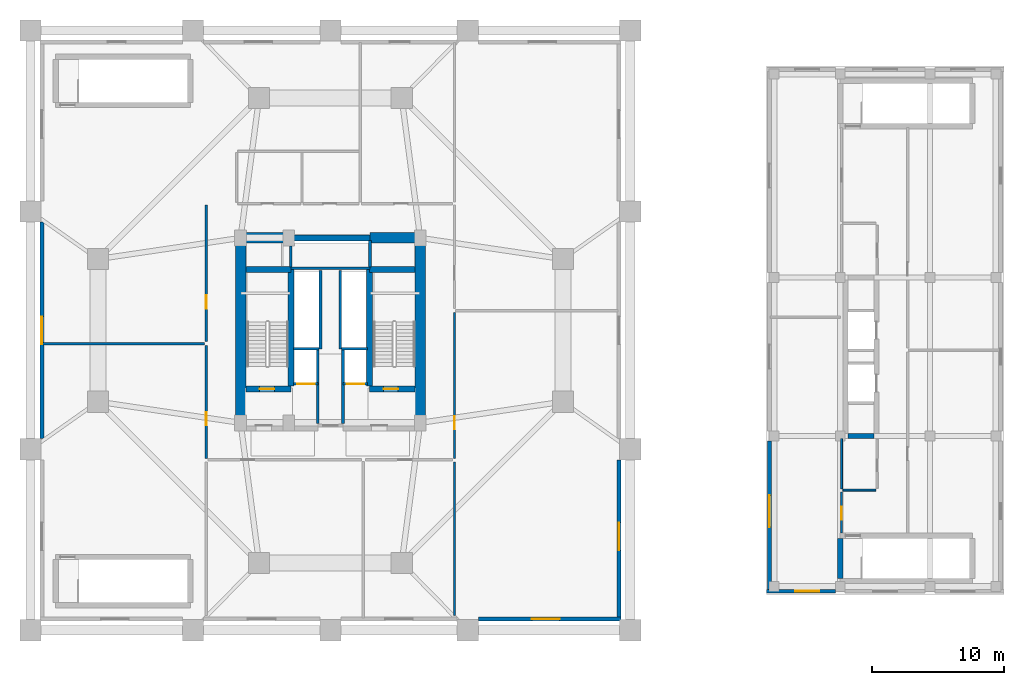
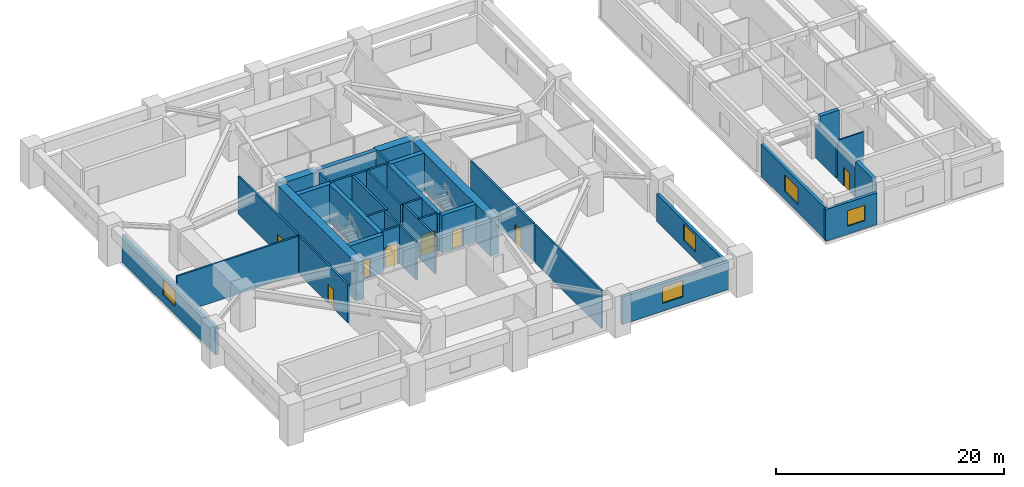
# One storey, part 3 of 8: 37 walls, 8 doors, 5 windows, 13 openings.
"""IFC4 building model written with IfcOpenShell, lengths in metres."""

from ifc_helpers import new_model, si_unit, direction, frame, frame_2d, origin, place, context, subcontext, project, spatial, rectangle, extrude, source, transform, mapped, material, layer, layer_set, type_object, element, fill, save


model = new_model("IFC4")

# Units and contexts
model_context = context("Model", 3, precision=1e-05, world=origin(), true_north=direction((0.0, 1.0)))
body_context = subcontext(model_context, "Body", "Model", "MODEL_VIEW")
ifc_project = project(units=[si_unit("LENGTHUNIT", "METRE"), si_unit("AREAUNIT", "SQUARE_METRE"), si_unit("VOLUMEUNIT", "CUBIC_METRE"), si_unit("PLANEANGLEUNIT", "RADIAN"), si_unit("MASSUNIT", "GRAM", prefix="KILO")], contexts=[model_context])

# Site, building, storey
site_placement = place(None, origin())
site = spatial("IfcSite", under=ifc_project, at=site_placement, CompositionType="ELEMENT")
building_placement = place(site_placement, origin())
building = spatial("IfcBuilding", under=site, at=building_placement, Name="Veraguas Prism Commons", CompositionType="ELEMENT")
storey_placement = place(building_placement, frame((0.0, 0.0, 18.39990234375)))
storey = spatial("IfcBuildingStorey", under=building, at=storey_placement, Name="L04", CompositionType="ELEMENT", Elevation=18.39990234375)

# Walls
ifc_material_1 = material(Name="Concrete C50/60", Category="concrete")
ifc_layer_1 = layer(ifc_material_1, 0.39990234375, Name="Clinic and Mid Core Shear Wall RC 400", Category="concrete")
ifc_layer_set_1 = layer_set([ifc_layer_1], Name="Concrete C50/60")
wall_type_1 = type_object("IfcWallType", Name="Clinic and Mid Core Shear Wall RC 400", PredefinedType="SHEAR", material=ifc_layer_set_1)
wall_1_placement = place(storey_placement, frame((63.199951171875, 16.0, 0.0), z_axis=(0.0, 0.0, 1.0), x_axis=(1.0, 0.0, 0.0)))
element("IfcWall", 1, at=wall_1_placement, inside=storey, type_object=wall_type_1, Name="Health Centre Core South Wall L04", PredefinedType="SHEAR", context=body_context, shape_type="SweptSolid", body=[
    extrude(rectangle(XDim=1.949951171875, YDim=0.39990234375, at=frame_2d((0.97509765625, 0.0))), origin(), (0.0, 0.0, 1.0), 4.14013671875),
])
wall_2_placement = place(storey_placement, frame((62.60009765625, 5.199951171875, 0.0), z_axis=(0.0, 0.0, 1.0), x_axis=(0.0, 1.0, 0.0)))
element("IfcWall", 2, at=wall_2_placement, inside=storey, type_object=wall_type_1, Name="ST-H1 West Shear Wall L04", PredefinedType="SHEAR", context=body_context, shape_type="SweptSolid", body=[
    extrude(rectangle(XDim=3.050048828125, YDim=0.39990234375, at=frame_2d((1.52490234375, 0.0))), origin(), (0.0, 0.0, 1.0), 4.14013671875),
])
ifc_material_2 = material(Name="Concrete C60/75", Category="concrete")
ifc_layer_2 = layer(ifc_material_2, 0.449951171875, Name="Core Internal Shear Wall Lower RC 450", Category="concrete")
ifc_layer_set_2 = layer_set([ifc_layer_2], Name="Concrete C60/75")
wall_type_2 = type_object("IfcWallType", Name="Core Internal Shear Wall Lower RC 450", PredefinedType="SHEAR", material=ifc_layer_set_2)
wall_3_placement = place(storey_placement, frame((21.0, 31.0, 0.0), z_axis=(0.0, 0.0, 1.0), x_axis=(1.0, 0.0, 0.0)))
element("IfcWall", 3, at=wall_3_placement, inside=storey, type_object=wall_type_2, Name="High-Rise Lift Bank Front Shear Wall L04", PredefinedType="SHEAR", context=body_context, shape_type="SweptSolid", body=[
    extrude(rectangle(XDim=6.0, YDim=0.449951171875, at=frame_2d((3.0, 0.0))), origin(), (0.0, 0.0, 1.0), 4.050048828125),
])

# Wall, opening, door
wall_4_placement = place(storey_placement, frame((17.60009765625, 19.574951171875, 0.0), z_axis=(0.0, 0.0, 1.0), x_axis=(1.0, 0.0, 0.0)))
wall_4 = element("IfcWall", 4, at=wall_4_placement, inside=storey, type_object=wall_type_2, Name="Stair ST-01 South Shear Wall L04", PredefinedType="SHEAR", context=body_context, shape_type="SweptSolid", body=[
    extrude(rectangle(XDim=3.4248046875, YDim=0.449951171875, at=frame_2d((1.71240234375, 0.0))), origin(), (0.0, 0.0, 1.0), 4.050048828125),
])
opening_1_placement = place(wall_4_placement, frame((1.050048828125, 0.0, 0.0)))
opening_1 = element("IfcOpeningElement", 5, at=opening_1_placement, cuts=wall_4, Name="Opening DR-05", PredefinedType="OPENING", context=body_context, shape_type="SweptSolid", body=[
    extrude(rectangle(XDim=1.10009765625, YDim=2.030029296875, at=frame_2d((0.550048828125, 1.01513671875))), frame((0.0, 0.23486328125, 0.0), z_axis=(0.0, -1.0, 0.0), x_axis=(1.0, 0.0, 0.0)), (0.0, 0.0, 1.0), 0.469970703125),
])
ifc_material_3 = material(Name="Steel fire-rated door assembly", Category="steel")
door_type_1 = type_object("IfcDoorType", Name="Protected Stair and Refuge Fire Door 1100x2030", OperationType="NOTDEFINED", PredefinedType="DOOR", material=ifc_material_3)
shared_shape_1 = source(origin(), body_context, "Body", "SweptSolid", [
    extrude(rectangle(XDim=1.10009765625, YDim=2.030029296875, at=frame_2d((0.550048828125, 1.01513671875))), frame((0.0, 0.02490234375, 0.0), z_axis=(0.0, -1.0, 0.0), x_axis=(1.0, 0.0, 0.0)), (0.0, 0.0, 1.0), 0.050048828125),
])
door_1_placement = place(opening_1_placement, origin())
door_1 = element("IfcDoor", 6, at=door_1_placement, inside=storey, type_object=door_type_1, Name="Stair ST-01 Enclosure Door L04", OperationType="SINGLE_SWING_LEFT", OverallHeight=2.030029296875, OverallWidth=1.10009765625, PredefinedType="DOOR", context=body_context, shape_type="MappedRepresentation", body=[
    mapped(shared_shape_1, transform((0.0, 0.0, 0.0), scale=1.0)),
])
fill(opening_1, door_1)

wall_5_placement = place(storey_placement, frame((26.97509765625, 19.574951171875, 0.0), z_axis=(0.0, 0.0, 1.0), x_axis=(1.0, 0.0, 0.0)))
wall_5 = element("IfcWall", 7, at=wall_5_placement, inside=storey, type_object=wall_type_2, Name="Stair ST-02 South Shear Wall L04", PredefinedType="SHEAR", context=body_context, shape_type="SweptSolid", body=[
    extrude(rectangle(XDim=3.4248046875, YDim=0.449951171875, at=frame_2d((1.71240234375, 0.0))), origin(), (0.0, 0.0, 1.0), 4.050048828125),
])
opening_2_placement = place(wall_5_placement, frame((1.050048828125, 0.0, 0.0)))
opening_2 = element("IfcOpeningElement", 8, at=opening_2_placement, cuts=wall_5, Name="Opening DR-05", PredefinedType="OPENING", context=body_context, shape_type="SweptSolid", body=[
    extrude(rectangle(XDim=1.10009765625, YDim=2.030029296875, at=frame_2d((0.550048828125, 1.01513671875))), frame((0.0, 0.23486328125, 0.0), z_axis=(0.0, -1.0, 0.0), x_axis=(1.0, 0.0, 0.0)), (0.0, 0.0, 1.0), 0.469970703125),
])
door_2_placement = place(opening_2_placement, origin())
door_2 = element("IfcDoor", 9, at=door_2_placement, inside=storey, type_object=door_type_1, Name="Stair ST-02 Enclosure Door L04", OperationType="SINGLE_SWING_RIGHT", OverallHeight=2.030029296875, OverallWidth=1.10009765625, PredefinedType="DOOR", context=body_context, shape_type="MappedRepresentation", body=[
    mapped(shared_shape_1, transform((0.0, 0.0, 0.0), scale=1.0)),
])
fill(opening_2, door_2)

# Walls
for number, where, z_axis, x_axis, name in (
    (10, (21.02490234375, 19.800048828125, 0.0), (0.0, 0.0, 1.0), (0.0, 1.0, 0.0), "Stair ST-01 Inner Shear Wall L04"),
    (11, (26.97509765625, 19.800048828125, 0.0), (0.0, 0.0, 1.0), (0.0, 1.0, 0.0), "Stair ST-02 Inner Shear Wall L04"),
):
    element("IfcWall", number, at=place(storey_placement, frame(where, z_axis=z_axis, x_axis=x_axis)), inside=storey, type_object=wall_type_2, Name=name, PredefinedType="SHEAR", context=body_context, shape_type="SweptSolid", body=[
        extrude(rectangle(XDim=8.824951171875, YDim=0.449951171875, at=frame_2d((4.41259765625, 0.0))), origin(), (0.0, 0.0, 1.0), 4.050048828125),
    ])
for number, where, z_axis, x_axis, name in (
    (12, (17.60009765625, 28.625, 0.0), (0.0, 0.0, 1.0), (1.0, 0.0, 0.0), "Stair ST-01 North Shear Wall L04"),
    (13, (26.97509765625, 28.625, 0.0), (0.0, 0.0, 1.0), (1.0, 0.0, 0.0), "Stair ST-02 North Shear Wall L04"),
):
    element("IfcWall", number, at=place(storey_placement, frame(where, z_axis=z_axis, x_axis=x_axis)), inside=storey, type_object=wall_type_2, Name=name, PredefinedType="SHEAR", context=body_context, shape_type="SweptSolid", body=[
        extrude(rectangle(XDim=3.4248046875, YDim=0.449951171875, at=frame_2d((1.71240234375, 0.0))), origin(), (0.0, 0.0, 1.0), 4.050048828125),
    ])
ifc_layer_3 = layer(ifc_material_2, 0.800048828125, Name="Core Outer Shear Wall Lower RC 800", Category="concrete")
ifc_layer_set_3 = layer_set([ifc_layer_3], Name="Concrete C60/75")
wall_type_3 = type_object("IfcWallType", Name="Core Outer Shear Wall Lower RC 800", PredefinedType="SHEAR", material=ifc_layer_set_3)
for number, where, z_axis, x_axis, name in (
    (14, (17.199951171875, 16.800048828125, 0.0), (0.0, 0.0, 1.0), (0.0, 1.0, 0.0), "Central Core West Shear Wall L04"),
    (15, (30.800048828125, 16.800048828125, 0.0), (0.0, 0.0, 1.0), (0.0, 1.0, 0.0), "Central Core East Shear Wall L04"),
):
    element("IfcWall", number, at=place(storey_placement, frame(where, z_axis=z_axis, x_axis=x_axis)), inside=storey, type_object=wall_type_3, Name=name, PredefinedType="SHEAR", context=body_context, shape_type="SweptSolid", body=[
        extrude(rectangle(XDim=14.199951171875, YDim=0.800048828125, at=frame_2d((7.10009765625, 0.0))), origin(), (0.0, 0.0, 1.0), 4.050048828125),
    ])
for number, where, z_axis, x_axis, name in (
    (16, (17.199951171875, 31.0, 0.0), (0.0, 0.0, 1.0), (1.0, 0.0, 0.0), "Central Core North-West Shear Wall L04"),
    (17, (27.0, 31.0, 0.0), (0.0, 0.0, 1.0), (1.0, 0.0, 0.0), "Central Core North-East Shear Wall L04"),
):
    element("IfcWall", number, at=place(storey_placement, frame(where, z_axis=z_axis, x_axis=x_axis)), inside=storey, type_object=wall_type_3, Name=name, PredefinedType="SHEAR", context=body_context, shape_type="SweptSolid", body=[
        extrude(rectangle(XDim=3.800048828125, YDim=0.800048828125, at=frame_2d((1.89990234375, 0.0))), origin(), (0.0, 0.0, 1.0), 4.050048828125),
    ])

# Wall, opening, door
ifc_material_4 = material(Name="Autoclaved aerated masonry block 10 MPa", Category="masonry")
ifc_layer_4 = layer(ifc_material_4, 0.179931640625, Name="Corridor and Inter-Tenancy Partition 180", Category="masonry")
ifc_layer_set_4 = layer_set([ifc_layer_4], Name="Autoclaved aerated masonry block 10 MPa")
wall_type_4 = type_object("IfcWallType", Name="Corridor and Inter-Tenancy Partition 180", PredefinedType="PARTITIONING", material=ifc_layer_set_4)
wall_6_placement = place(storey_placement, frame((14.60009765625, 14.300048828125, 0.0), z_axis=(0.0, 0.0, 1.0), x_axis=(0.0, 1.0, 0.0)))
wall_6 = element("IfcWall", 18, at=wall_6_placement, inside=storey, type_object=wall_type_4, Name="WL-L04-PDPT01", PredefinedType="PARTITIONING", context=body_context, shape_type="SweptSolid", body=[
    extrude(rectangle(XDim=8.550048828125, YDim=0.179931640625, at=frame_2d((4.27490234375, 0.0))), origin(), (0.0, 0.0, 1.0), 4.050048828125),
])
opening_3_placement = place(wall_6_placement, frame((2.5, 0.0, 0.0)))
opening_3 = element("IfcOpeningElement", 19, at=opening_3_placement, cuts=wall_6, Name="Opening DR-13", PredefinedType="OPENING", context=body_context, shape_type="SweptSolid", body=[
    extrude(rectangle(XDim=1.0, YDim=2.010009765625, at=frame_2d((0.5, 1.0048828125))), frame((0.0, 0.099853515625, 0.0), z_axis=(0.0, -1.0, 0.0), x_axis=(1.0, 0.0, 0.0)), (0.0, 0.0, 1.0), 0.199951171875),
])
door_type_2 = type_object("IfcDoorType", Name="Core Accessible WC and Clinic Fire Door 1000x2010", OperationType="NOTDEFINED", PredefinedType="DOOR", material=ifc_material_3)
shared_shape_2 = source(origin(), body_context, "Body", "SweptSolid", [
    extrude(rectangle(XDim=1.0, YDim=2.010009765625, at=frame_2d((0.5, 1.0048828125))), frame((0.0, 0.02490234375, 0.0), z_axis=(0.0, -1.0, 0.0), x_axis=(1.0, 0.0, 0.0)), (0.0, 0.0, 1.0), 0.050048828125),
])
door_3_placement = place(opening_3_placement, origin())
door_3 = element("IfcDoor", 20, at=door_3_placement, inside=storey, type_object=door_type_2, Name="Podium Co-op Library Reading Hall Door", OperationType="SINGLE_SWING_LEFT", OverallHeight=2.010009765625, OverallWidth=1.0, PredefinedType="DOOR", context=body_context, shape_type="MappedRepresentation", body=[
    mapped(shared_shape_2, transform((0.0, 0.0, 0.0), scale=1.0)),
])
fill(opening_3, door_3)

wall_7_placement = place(storey_placement, frame((14.60009765625, 23.14990234375, 0.0), z_axis=(0.0, 0.0, 1.0), x_axis=(0.0, 1.0, 0.0)))
wall_7 = element("IfcWall", 21, at=wall_7_placement, inside=storey, type_object=wall_type_4, Name="WL-L04-PDPT02", PredefinedType="PARTITIONING", context=body_context, shape_type="SweptSolid", body=[
    extrude(rectangle(XDim=10.35009765625, YDim=0.179931640625, at=frame_2d((5.175048828125, 0.0))), origin(), (0.0, 0.0, 1.0), 4.050048828125),
])
opening_4_placement = place(wall_7_placement, frame((2.5, 0.0, 0.0)))
opening_4 = element("IfcOpeningElement", 22, at=opening_4_placement, cuts=wall_7, Name="Opening DR-13", PredefinedType="OPENING", context=body_context, shape_type="SweptSolid", body=[
    extrude(rectangle(XDim=1.0, YDim=2.010009765625, at=frame_2d((0.5, 1.0048828125))), frame((0.0, 0.099853515625, 0.0), z_axis=(0.0, -1.0, 0.0), x_axis=(1.0, 0.0, 0.0)), (0.0, 0.0, 1.0), 0.199951171875),
])
door_4_placement = place(opening_4_placement, origin())
door_4 = element("IfcDoor", 23, at=door_4_placement, inside=storey, type_object=door_type_2, Name="Archive and Study Hall Door", OperationType="SINGLE_SWING_RIGHT", OverallHeight=2.010009765625, OverallWidth=1.0, PredefinedType="DOOR", context=body_context, shape_type="MappedRepresentation", body=[
    mapped(shared_shape_2, transform((0.0, 0.0, 0.0), scale=1.0)),
])
fill(opening_4, door_4)

# Walls
wall_8_placement = place(storey_placement, frame((2.219970703125, 23.0, 0.0), z_axis=(0.0, 0.0, 1.0), x_axis=(1.0, 0.0, 0.0)))
element("IfcWall", 24, at=wall_8_placement, inside=storey, type_object=wall_type_4, Name="WL-L04-PDPT03", PredefinedType="PARTITIONING", context=body_context, shape_type="SweptSolid", body=[
    extrude(rectangle(XDim=12.260009765625, YDim=0.179931640625, at=frame_2d((6.1298828125, 0.0))), origin(), (0.0, 0.0, 1.0), 4.050048828125),
])
wall_9_placement = place(storey_placement, frame((33.39990234375, 2.39990234375, 0.0), z_axis=(0.0, 0.0, 1.0), x_axis=(0.0, 1.0, 0.0)))
element("IfcWall", 25, at=wall_9_placement, inside=storey, type_object=wall_type_4, Name="WL-L04-PDPT06E", PredefinedType="PARTITIONING", context=body_context, shape_type="SweptSolid", body=[
    extrude(rectangle(XDim=11.650146484375, YDim=0.179931640625, at=frame_2d((5.8251953125, 0.0))), origin(), (0.0, 0.0, 1.0), 4.050048828125),
])

# Wall, opening, door
wall_10_placement = place(storey_placement, frame((33.39990234375, 14.300048828125, 0.0), z_axis=(0.0, 0.0, 1.0), x_axis=(0.0, 1.0, 0.0)))
wall_10 = element("IfcWall", 26, at=wall_10_placement, inside=storey, type_object=wall_type_4, Name="WL-L04-PDPT07", PredefinedType="PARTITIONING", context=body_context, shape_type="SweptSolid", body=[
    extrude(rectangle(XDim=11.050048828125, YDim=0.179931640625, at=frame_2d((5.52490234375, 0.0))), origin(), (0.0, 0.0, 1.0), 4.050048828125),
])
opening_5_placement = place(wall_10_placement, frame((2.199951171875, 0.0, 0.0)))
opening_5 = element("IfcOpeningElement", 27, at=opening_5_placement, cuts=wall_10, Name="Opening DR-13", PredefinedType="OPENING", context=body_context, shape_type="SweptSolid", body=[
    extrude(rectangle(XDim=1.0, YDim=2.010009765625, at=frame_2d((0.5, 1.0048828125))), frame((0.0, 0.099853515625, 0.0), z_axis=(0.0, -1.0, 0.0), x_axis=(1.0, 0.0, 0.0)), (0.0, 0.0, 1.0), 0.199951171875),
])
door_5_placement = place(opening_5_placement, origin())
door_5 = element("IfcDoor", 28, at=door_5_placement, inside=storey, type_object=door_type_2, Name="Indoor Family Recreation Hall Door", OperationType="SINGLE_SWING_LEFT", OverallHeight=2.010009765625, OverallWidth=1.0, PredefinedType="DOOR", context=body_context, shape_type="MappedRepresentation", body=[
    mapped(shared_shape_2, transform((0.0, 0.0, 0.0), scale=1.0)),
])
fill(opening_5, door_5)

wall_11_placement = place(storey_placement, frame((62.699951171875, 8.64990234375, 0.0), z_axis=(0.0, 0.0, 1.0), x_axis=(0.0, 1.0, 0.0)))
wall_11 = element("IfcWall", 29, at=wall_11_placement, inside=storey, type_object=wall_type_4, Name="WL-L04-HCPT05", PredefinedType="PARTITIONING", context=body_context, shape_type="SweptSolid", body=[
    extrude(rectangle(XDim=3.10009765625, YDim=0.179931640625, at=frame_2d((1.550048828125, 0.0))), origin(), (0.0, 0.0, 1.0), 3.5400390625),
])
opening_6_placement = place(wall_11_placement, frame((1.0, 0.0, 0.0)))
opening_6 = element("IfcOpeningElement", 30, at=opening_6_placement, cuts=wall_11, Name="Opening DR-13", PredefinedType="OPENING", context=body_context, shape_type="SweptSolid", body=[
    extrude(rectangle(XDim=1.0, YDim=2.010009765625, at=frame_2d((0.5, 1.0048828125))), frame((0.0, 0.099853515625, 0.0), z_axis=(0.0, -1.0, 0.0), x_axis=(1.0, 0.0, 0.0)), (0.0, 0.0, 1.0), 0.199951171875),
])
door_6_placement = place(opening_6_placement, origin())
door_6 = element("IfcDoor", 31, at=door_6_placement, inside=storey, type_object=door_type_2, Name="Rehabilitation Physiotherapy Gym Door", OperationType="SINGLE_SWING_RIGHT", OverallHeight=2.010009765625, OverallWidth=1.0, PredefinedType="DOOR", context=body_context, shape_type="MappedRepresentation", body=[
    mapped(shared_shape_2, transform((0.0, 0.0, 0.0), scale=1.0)),
])
fill(opening_6, door_6)

# Wall, opening, window
ifc_material_5 = material(Name="Precast concrete C40/50", Category="concrete")
ifc_layer_5 = layer(ifc_material_5, 0.300048828125, Name="External Precast Facade Wall 300", Category="concrete")
ifc_layer_set_5 = layer_set([ifc_layer_5], Name="Precast concrete C40/50")
wall_type_5 = type_object("IfcWallType", Name="External Precast Facade Wall 300", PredefinedType="SOLIDWALL", material=ifc_layer_set_5)
wall_12_placement = place(storey_placement, frame((35.199951171875, 2.14990234375, 0.0), z_axis=(0.0, 0.0, 1.0), x_axis=(1.0, 0.0, 0.0)))
wall_12 = element("IfcWall", 32, at=wall_12_placement, inside=storey, type_object=wall_type_5, Name="Podium South Facade Wall L04-04", PredefinedType="SOLIDWALL", context=body_context, shape_type="SweptSolid", body=[
    extrude(rectangle(XDim=10.800048828125, YDim=0.300048828125, at=frame_2d((5.39990234375, 0.0))), origin(), (0.0, 0.0, 1.0), 2.9501953125),
])
opening_7_placement = place(wall_12_placement, frame((4.050048828125, 0.0, 0.85009765625)))
opening_7 = element("IfcOpeningElement", 33, at=opening_7_placement, cuts=wall_12, Name="Opening WN-07", PredefinedType="OPENING", context=body_context, shape_type="SweptSolid", body=[
    extrude(rectangle(XDim=2.10009765625, YDim=1.75, at=frame_2d((1.050048828125, 0.875))), frame((0.0, 0.159912109375, 0.0), z_axis=(0.0, -1.0, 0.0), x_axis=(1.0, 0.0, 0.0)), (0.0, 0.0, 1.0), 0.320068359375),
])
ifc_material_6 = material(Name="Laminated low-e glass", Category="glass")
window_type_1 = type_object("IfcWindowType", Name="Podium Community Window 2100x1750", PartitioningType="DOUBLE_PANEL_VERTICAL", PredefinedType="WINDOW", material=ifc_material_6)
shared_shape_3 = source(origin(), body_context, "Body", "SweptSolid", [
    extrude(rectangle(XDim=2.10009765625, YDim=1.75, at=frame_2d((1.050048828125, 0.875))), frame((0.0, 0.030029296875, 0.0), z_axis=(0.0, -1.0, 0.0), x_axis=(1.0, 0.0, 0.0)), (0.0, 0.0, 1.0), 0.06005859375),
])
window_1_placement = place(opening_7_placement, origin())
window_1 = element("IfcWindow", 34, at=window_1_placement, inside=storey, type_object=window_type_1, Name="Podium South Window L04-04", OverallHeight=1.75, OverallWidth=2.10009765625, PartitioningType="DOUBLE_PANEL_VERTICAL", PredefinedType="WINDOW", context=body_context, shape_type="MappedRepresentation", body=[
    mapped(shared_shape_3, transform((0.0, 0.0, 0.0), scale=1.0)),
])
fill(opening_7, window_1)

wall_13_placement = place(storey_placement, frame((45.85009765625, 2.300048828125, 0.0), z_axis=(0.0, 0.0, 1.0), x_axis=(0.0, 1.0, 0.0)))
wall_13 = element("IfcWall", 35, at=wall_13_placement, inside=storey, type_object=wall_type_5, Name="Podium East Plaza Wall L04-01", PredefinedType="SOLIDWALL", context=body_context, shape_type="SweptSolid", body=[
    extrude(rectangle(XDim=11.89990234375, YDim=0.300048828125, at=frame_2d((5.949951171875, 0.0))), origin(), (0.0, 0.0, 1.0), 2.9501953125),
])
opening_8_placement = place(wall_13_placement, frame((5.050048828125, 0.0, 0.85009765625)))
opening_8 = element("IfcOpeningElement", 36, at=opening_8_placement, cuts=wall_13, Name="Opening WN-07", PredefinedType="OPENING", context=body_context, shape_type="SweptSolid", body=[
    extrude(rectangle(XDim=2.10009765625, YDim=1.75, at=frame_2d((1.050048828125, 0.875))), frame((0.0, 0.159912109375, 0.0), z_axis=(0.0, -1.0, 0.0), x_axis=(1.0, 0.0, 0.0)), (0.0, 0.0, 1.0), 0.320068359375),
])
window_2_placement = place(opening_8_placement, origin())
window_2 = element("IfcWindow", 37, at=window_2_placement, inside=storey, type_object=window_type_1, Name="Podium East Window L04-01", OverallHeight=1.75, OverallWidth=2.10009765625, PartitioningType="DOUBLE_PANEL_VERTICAL", PredefinedType="WINDOW", context=body_context, shape_type="MappedRepresentation", body=[
    mapped(shared_shape_3, transform((0.0, 0.0, 0.0), scale=1.0)),
])
fill(opening_8, window_2)

wall_14_placement = place(storey_placement, frame((2.14990234375, 32.199951171875, 0.0), z_axis=(0.0, 0.0, 1.0), x_axis=(0.0, -1.0, 0.0)))
wall_14 = element("IfcWall", 38, at=wall_14_placement, inside=storey, type_object=wall_type_5, Name="Podium West Facade Wall L04-02", PredefinedType="SOLIDWALL", context=body_context, shape_type="SweptSolid", body=[
    extrude(rectangle(XDim=16.39990234375, YDim=0.300048828125, at=frame_2d((8.199951171875, 0.0))), origin(), (0.0, 0.0, 1.0), 2.9501953125),
])
opening_9_placement = place(wall_14_placement, frame((7.14990234375, 0.0, 0.85009765625)))
opening_9 = element("IfcOpeningElement", 39, at=opening_9_placement, cuts=wall_14, Name="Opening WN-07", PredefinedType="OPENING", context=body_context, shape_type="SweptSolid", body=[
    extrude(rectangle(XDim=2.10009765625, YDim=1.75, at=frame_2d((1.050048828125, 0.875))), frame((0.0, 0.159912109375, 0.0), z_axis=(0.0, -1.0, 0.0), x_axis=(1.0, 0.0, 0.0)), (0.0, 0.0, 1.0), 0.320068359375),
])
window_3_placement = place(opening_9_placement, origin())
window_3 = element("IfcWindow", 40, at=window_3_placement, inside=storey, type_object=window_type_1, Name="Podium West Window L04-02", OverallHeight=1.75, OverallWidth=2.10009765625, PartitioningType="DOUBLE_PANEL_VERTICAL", PredefinedType="WINDOW", context=body_context, shape_type="MappedRepresentation", body=[
    mapped(shared_shape_3, transform((0.0, 0.0, 0.0), scale=1.0)),
])
fill(opening_9, window_3)

wall_15_placement = place(storey_placement, frame((57.0, 4.25, 0.0), z_axis=(0.0, 0.0, 1.0), x_axis=(1.0, 0.0, 0.0)))
wall_15 = element("IfcWall", 41, at=wall_15_placement, inside=storey, type_object=wall_type_5, Name="Health Centre South Wall L04-01", PredefinedType="SOLIDWALL", context=body_context, shape_type="SweptSolid", body=[
    extrude(rectangle(XDim=5.22509765625, YDim=0.300048828125, at=frame_2d((2.612548828125, 0.0))), origin(), (0.0, 0.0, 1.0), 3.39013671875),
])
opening_10_placement = place(wall_15_placement, frame((2.199951171875, 0.0, 0.85009765625)))
opening_10 = element("IfcOpeningElement", 42, at=opening_10_placement, cuts=wall_15, Name="Opening WN-01", PredefinedType="OPENING", context=body_context, shape_type="SweptSolid", body=[
    extrude(rectangle(XDim=1.800048828125, YDim=1.64990234375, at=frame_2d((0.89990234375, 0.824951171875))), frame((0.0, 0.159912109375, 0.0), z_axis=(0.0, -1.0, 0.0), x_axis=(1.0, 0.0, 0.0)), (0.0, 0.0, 1.0), 0.320068359375),
])
window_type_2 = type_object("IfcWindowType", Name="Clinic Consulting Double Window 1800x1650", PartitioningType="DOUBLE_PANEL_VERTICAL", PredefinedType="WINDOW", material=ifc_material_6)
shared_shape_4 = source(origin(), body_context, "Body", "SweptSolid", [
    extrude(rectangle(XDim=1.800048828125, YDim=1.64990234375, at=frame_2d((0.89990234375, 0.824951171875))), frame((0.0, 0.030029296875, 0.0), z_axis=(0.0, -1.0, 0.0), x_axis=(1.0, 0.0, 0.0)), (0.0, 0.0, 1.0), 0.06005859375),
])
window_4_placement = place(opening_10_placement, origin())
window_4 = element("IfcWindow", 43, at=window_4_placement, inside=storey, type_object=window_type_2, Name="Health Centre South Window L04-01", OverallHeight=1.64990234375, OverallWidth=1.800048828125, PartitioningType="DOUBLE_PANEL_VERTICAL", PredefinedType="WINDOW", context=body_context, shape_type="MappedRepresentation", body=[
    mapped(shared_shape_4, transform((0.0, 0.0, 0.0), scale=1.0)),
])
fill(opening_10, window_4)

wall_16_placement = place(storey_placement, frame((57.25, 15.625, 0.0), z_axis=(0.0, 0.0, 1.0), x_axis=(0.0, -1.0, 0.0)))
wall_16 = element("IfcWall", 44, at=wall_16_placement, inside=storey, type_object=wall_type_5, Name="Health Centre West Plaza Wall L04-03", PredefinedType="SOLIDWALL", context=body_context, shape_type="SweptSolid", body=[
    extrude(rectangle(XDim=11.22509765625, YDim=0.300048828125, at=frame_2d((5.612548828125, 0.0))), origin(), (0.0, 0.0, 1.0), 3.39013671875),
])
opening_11_placement = place(wall_16_placement, frame((4.125, 0.0, 0.85009765625)))
opening_11 = element("IfcOpeningElement", 45, at=opening_11_placement, cuts=wall_16, Name="Opening WN-02", PredefinedType="OPENING", context=body_context, shape_type="SweptSolid", body=[
    extrude(rectangle(XDim=2.39990234375, YDim=1.800048828125, at=frame_2d((1.199951171875, 0.89990234375))), frame((0.0, 0.159912109375, 0.0), z_axis=(0.0, -1.0, 0.0), x_axis=(1.0, 0.0, 0.0)), (0.0, 0.0, 1.0), 0.320068359375),
])
window_type_3 = type_object("IfcWindowType", Name="Clinic Waiting Fixed Window 2400x1800", PartitioningType="SINGLE_PANEL", PredefinedType="WINDOW", material=ifc_material_6)
shared_shape_5 = source(origin(), body_context, "Body", "SweptSolid", [
    extrude(rectangle(XDim=2.39990234375, YDim=1.800048828125, at=frame_2d((1.199951171875, 0.89990234375))), frame((0.0, 0.030029296875, 0.0), z_axis=(0.0, -1.0, 0.0), x_axis=(1.0, 0.0, 0.0)), (0.0, 0.0, 1.0), 0.06005859375),
])
window_5_placement = place(opening_11_placement, origin())
window_5 = element("IfcWindow", 46, at=window_5_placement, inside=storey, type_object=window_type_3, Name="Health Centre West Window L04-03", OverallHeight=1.800048828125, OverallWidth=2.39990234375, PartitioningType="SINGLE_PANEL", PredefinedType="WINDOW", context=body_context, shape_type="MappedRepresentation", body=[
    mapped(shared_shape_5, transform((0.0, 0.0, 0.0), scale=1.0)),
])
fill(opening_11, window_5)

# Wall, opening, door
ifc_layer_6 = layer(ifc_material_4, 0.199951171875, Name="Rated Shaft and Lobby Block Wall 200", Category="masonry")
ifc_layer_set_6 = layer_set([ifc_layer_6], Name="Autoclaved aerated masonry block 10 MPa")
wall_type_6 = type_object("IfcWallType", Name="Rated Shaft and Lobby Block Wall 200", PredefinedType="SOLIDWALL", material=ifc_layer_set_6)
wall_17_placement = place(storey_placement, frame((21.199951171875, 19.949951171875, 0.0), z_axis=(0.0, 0.0, 1.0), x_axis=(1.0, 0.0, 0.0)))
wall_17 = element("IfcWall", 47, at=wall_17_placement, inside=storey, type_object=wall_type_6, Name="Firefighting Lift FFL-1 Front Wall L04", PredefinedType="SOLIDWALL", context=body_context, shape_type="SweptSolid", body=[
    extrude(rectangle(XDim=1.85009765625, YDim=0.199951171875, at=frame_2d((0.925048828125, 0.0))), origin(), (0.0, 0.0, 1.0), 4.050048828125),
])
opening_12_placement = place(wall_17_placement, frame((0.300048828125, 0.0, 0.0)))
opening_12 = element("IfcOpeningElement", 48, at=opening_12_placement, cuts=wall_17, Name="Opening LD-02", PredefinedType="OPENING", context=body_context, shape_type="SweptSolid", body=[
    extrude(rectangle(XDim=1.300048828125, YDim=2.25, at=frame_2d((0.64990234375, 1.125))), frame((0.0, 0.10986328125, 0.0), z_axis=(0.0, -1.0, 0.0), x_axis=(1.0, 0.0, 0.0)), (0.0, 0.0, 1.0), 0.219970703125),
])
ifc_material_7 = material(Name="Stainless steel AISI 316", Category="steel")
door_type_3 = type_object("IfcDoorType", Name="Firefighting Lift Sliding Landing Door 1300x2250", OperationType="NOTDEFINED", PredefinedType="DOOR", material=ifc_material_7)
shared_shape_6 = source(origin(), body_context, "Body", "SweptSolid", [
    extrude(rectangle(XDim=1.300048828125, YDim=2.25, at=frame_2d((0.64990234375, 1.125))), frame((0.0, 0.02490234375, 0.0), z_axis=(0.0, -1.0, 0.0), x_axis=(1.0, 0.0, 0.0)), (0.0, 0.0, 1.0), 0.050048828125),
])
door_7_placement = place(opening_12_placement, origin())
door_7 = element("IfcDoor", 49, at=door_7_placement, inside=storey, type_object=door_type_3, Name="Firefighting Lift FFL-1 Landing Door L04", OperationType="SLIDING_TO_LEFT", OverallHeight=2.25, OverallWidth=1.300048828125, PredefinedType="DOOR", context=body_context, shape_type="MappedRepresentation", body=[
    mapped(shared_shape_6, transform((0.0, 0.0, 0.0), scale=1.0)),
])
fill(opening_12, door_7)

wall_18_placement = place(storey_placement, frame((24.949951171875, 19.949951171875, 0.0), z_axis=(0.0, 0.0, 1.0), x_axis=(1.0, 0.0, 0.0)))
wall_18 = element("IfcWall", 50, at=wall_18_placement, inside=storey, type_object=wall_type_6, Name="Firefighting Lift FFL-2 Front Wall L04", PredefinedType="SOLIDWALL", context=body_context, shape_type="SweptSolid", body=[
    extrude(rectangle(XDim=1.85009765625, YDim=0.199951171875, at=frame_2d((0.925048828125, 0.0))), origin(), (0.0, 0.0, 1.0), 4.050048828125),
])
opening_13_placement = place(wall_18_placement, frame((0.300048828125, 0.0, 0.0)))
opening_13 = element("IfcOpeningElement", 51, at=opening_13_placement, cuts=wall_18, Name="Opening LD-02", PredefinedType="OPENING", context=body_context, shape_type="SweptSolid", body=[
    extrude(rectangle(XDim=1.300048828125, YDim=2.25, at=frame_2d((0.64990234375, 1.125))), frame((0.0, 0.10986328125, 0.0), z_axis=(0.0, -1.0, 0.0), x_axis=(1.0, 0.0, 0.0)), (0.0, 0.0, 1.0), 0.219970703125),
])
door_8_placement = place(opening_13_placement, origin())
door_8 = element("IfcDoor", 52, at=door_8_placement, inside=storey, type_object=door_type_3, Name="Firefighting Lift FFL-2 Front Wall L04", OperationType="SLIDING_TO_LEFT", OverallHeight=2.25, OverallWidth=1.300048828125, PredefinedType="DOOR", context=body_context, shape_type="MappedRepresentation", body=[
    mapped(shared_shape_6, transform((0.0, 0.0, 0.0), scale=1.0)),
])
fill(opening_13, door_8)

# Walls
for number, where, z_axis, x_axis, name in (
    (53, (23.050048828125, 16.949951171875, 0.0), (0.0, 0.0, 1.0), (0.0, 1.0, 0.0), "West FF Lobby Divider Wall L04"),
    (54, (24.949951171875, 16.949951171875, 0.0), (0.0, 0.0, 1.0), (0.0, 1.0, 0.0), "East FF Lobby Divider Wall L04"),
):
    element("IfcWall", number, at=place(storey_placement, frame(where, z_axis=z_axis, x_axis=x_axis)), inside=storey, type_object=wall_type_6, Name=name, PredefinedType="SOLIDWALL", context=body_context, shape_type="SweptSolid", body=[
        extrude(rectangle(XDim=5.60009765625, YDim=0.199951171875, at=frame_2d((2.800048828125, 0.0))), origin(), (0.0, 0.0, 1.0), 4.050048828125),
    ])
for number, where, z_axis, x_axis, name in (
    (55, (21.199951171875, 22.60009765625, 0.0), (0.0, 0.0, 1.0), (1.0, 0.0, 0.0), "Firefighting Lift FFL-1 Rear Wall L04"),
    (56, (24.85009765625, 22.60009765625, 0.0), (0.0, 0.0, 1.0), (1.0, 0.0, 0.0), "Firefighting Lift FFL-2 Rear Wall L04"),
):
    element("IfcWall", number, at=place(storey_placement, frame(where, z_axis=z_axis, x_axis=x_axis)), inside=storey, type_object=wall_type_6, Name=name, PredefinedType="SOLIDWALL", context=body_context, shape_type="SweptSolid", body=[
        extrude(rectangle(XDim=1.949951171875, YDim=0.199951171875, at=frame_2d((0.97509765625, 0.0))), origin(), (0.0, 0.0, 1.0), 4.050048828125),
    ])
wall_19_placement = place(storey_placement, frame((21.0, 28.699951171875, 0.0), z_axis=(0.0, 0.0, 1.0), x_axis=(1.0, 0.0, 0.0)))
element("IfcWall", 57, at=wall_19_placement, inside=storey, type_object=wall_type_6, Name="High-Rise Lift Bank Rear Shaft Wall L04", PredefinedType="SOLIDWALL", context=body_context, shape_type="SweptSolid", body=[
    extrude(rectangle(XDim=6.0, YDim=0.199951171875, at=frame_2d((3.0, 0.0))), origin(), (0.0, 0.0, 1.0), 4.050048828125),
])
wall_20_placement = place(storey_placement, frame((21.0, 28.800048828125, 0.0), z_axis=(0.0, 0.0, 1.0), x_axis=(0.0, 1.0, 0.0)))
element("IfcWall", 58, at=wall_20_placement, inside=storey, type_object=wall_type_6, Name="High-Rise Lift Bank West Shaft Wall L04", PredefinedType="SOLIDWALL", context=body_context, shape_type="SweptSolid", body=[
    extrude(rectangle(XDim=1.599853515625, YDim=0.199951171875, at=frame_2d((0.7998046875, 0.0))), origin(), (0.0, 0.0, 1.0), 4.050048828125),
])
wall_21_placement = place(storey_placement, frame((27.0, 28.800048828125, 0.0), z_axis=(0.0, 0.0, 1.0), x_axis=(0.0, 1.0, 0.0)))
element("IfcWall", 59, at=wall_21_placement, inside=storey, type_object=wall_type_6, Name="High-Rise Lift Bank East Shaft Wall L04", PredefinedType="SOLIDWALL", context=body_context, shape_type="SweptSolid", body=[
    extrude(rectangle(XDim=2.0, YDim=0.199951171875, at=frame_2d((1.0, 0.0))), origin(), (0.0, 0.0, 1.0), 4.050048828125),
])
for number, where, z_axis, x_axis, name in (
    (60, (23.25, 22.60009765625, 0.0), (0.0, 0.0, 1.0), (0.0, 1.0, 0.0), "Low-Rise Lift Bank Front Wall L04"),
    (61, (24.75, 22.60009765625, 0.0), (0.0, 0.0, 1.0), (0.0, 1.0, 0.0), "Mid-Rise Lift Bank Front Wall L04"),
):
    element("IfcWall", number, at=place(storey_placement, frame(where, z_axis=z_axis, x_axis=x_axis)), inside=storey, type_object=wall_type_6, Name=name, PredefinedType="SOLIDWALL", context=body_context, shape_type="SweptSolid", body=[
        extrude(rectangle(XDim=5.949951171875, YDim=0.199951171875, at=frame_2d((2.97509765625, 0.0))), origin(), (0.0, 0.0, 1.0), 4.050048828125),
    ])
ifc_material_8 = material(Name="Lightweight acoustic gypsum board")
ifc_layer_7 = layer(ifc_material_8, 0.14990234375, Name="Wet Room and Clinic Acoustic Partition 150")
ifc_layer_set_7 = layer_set([ifc_layer_7], Name="Lightweight acoustic gypsum board")
wall_type_7 = type_object("IfcWallType", Name="Wet Room and Clinic Acoustic Partition 150", PredefinedType="PARTITIONING", material=ifc_layer_set_7)
wall_22_placement = place(storey_placement, frame((62.800048828125, 11.89990234375, 0.0), z_axis=(0.0, 0.0, 1.0), x_axis=(1.0, 0.0, 0.0)))
element("IfcWall", 62, at=wall_22_placement, inside=storey, type_object=wall_type_7, Name="WL-L04-HCPT01", PredefinedType="PARTITIONING", context=body_context, shape_type="SweptSolid", body=[
    extrude(rectangle(XDim=2.5, YDim=0.14990234375, at=frame_2d((1.25, 0.0))), origin(), (0.0, 0.0, 1.0), 4.14013671875),
])
wall_23_placement = place(storey_placement, frame((62.699951171875, 12.0, 0.0), z_axis=(0.0, 0.0, 1.0), x_axis=(0.0, 1.0, 0.0)))
element("IfcWall", 63, at=wall_23_placement, inside=storey, type_object=wall_type_7, Name="WL-L04-HCPT01W", PredefinedType="PARTITIONING", context=body_context, shape_type="SweptSolid", body=[
    extrude(rectangle(XDim=3.800048828125, YDim=0.14990234375, at=frame_2d((1.89990234375, 0.0))), origin(), (0.0, 0.0, 1.0), 3.5400390625),
])

save(model, "model.ifc")
